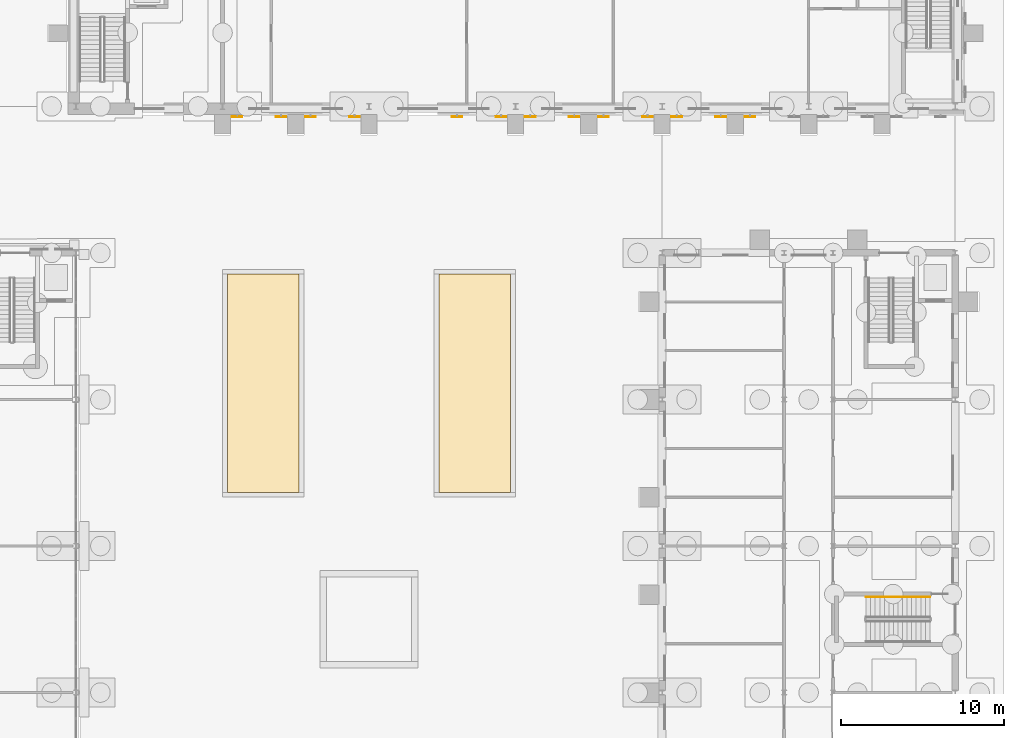
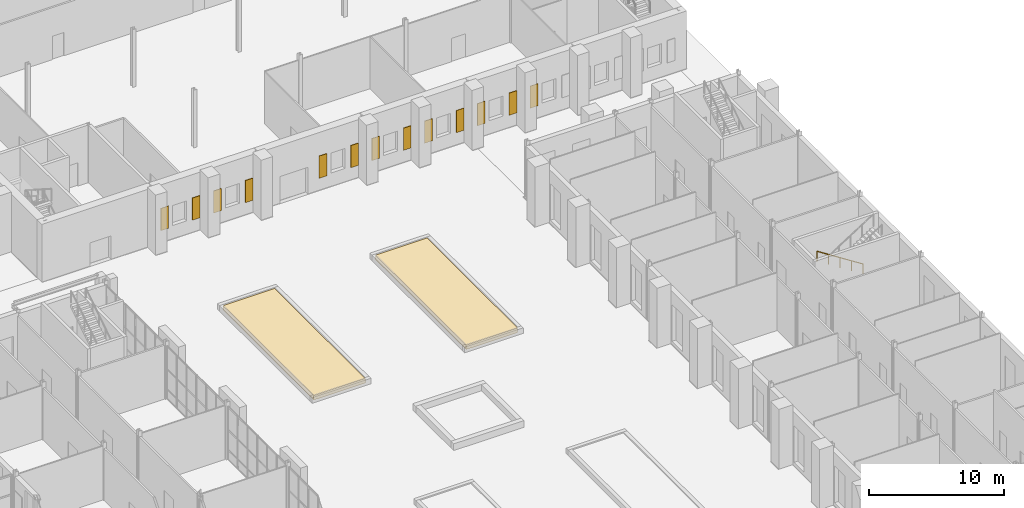
# One storey, part 155 of 168: 13 shading devices, 2 coverings, 1 railing.
"""IFC4 building model written with IfcOpenShell, lengths in metres."""

from ifc_helpers import new_model, si_unit, direction, frame, origin, origin_2d, place, context, subcontext, project, spatial, polyline, rectangle, circle, outline, extrude, material, layer, layer_set, type_object, element, save


model = new_model("IFC4")

# Units and contexts
model_context = context("Model", 3, precision=1e-05, world=origin(), true_north=direction((0.0, 1.0)))
body_context = subcontext(model_context, "Body", "Model", "MODEL_VIEW")
ifc_project = project(units=[si_unit("LENGTHUNIT", "METRE"), si_unit("AREAUNIT", "SQUARE_METRE"), si_unit("VOLUMEUNIT", "CUBIC_METRE"), si_unit("PLANEANGLEUNIT", "RADIAN"), si_unit("MASSUNIT", "GRAM", prefix="KILO")], contexts=[model_context])

# Site, building, storey
site_placement = place(None, origin())
site = spatial("IfcSite", under=ifc_project, at=site_placement, CompositionType="ELEMENT")
building_placement = place(site_placement, origin())
building = spatial("IfcBuilding", under=site, at=building_placement, Name="Golden Quay Civic Hall", CompositionType="ELEMENT")
storey_placement = place(building_placement, origin())
storey = spatial("IfcBuildingStorey", under=building, at=storey_placement, Name="L00", CompositionType="ELEMENT", Elevation=0.0)

# Coverings
ifc_material_1 = material(Name="Planting soil")
ifc_layer = layer(ifc_material_1, 0.39990234375)
ifc_layer_set = layer_set([ifc_layer], Name="Planting soil 400")
covering_type = type_object("IfcCoveringType", Name="Planting soil 400", PredefinedType="FLOORING", material=ifc_layer_set)
covering_1_placement = place(storey_placement, origin())
element("IfcCovering", 1, at=covering_1_placement, inside=storey, type_object=covering_type, Name="Court planting East Court 2", PredefinedType="FLOORING", context=body_context, shape_type="SweptSolid", body=[
    extrude(outline(polyline([(126.300048828125, 39.300048828125), (130.699951171875, 39.300048828125), (130.699951171875, 52.699951171875), (126.300048828125, 52.699951171875), (126.300048828125, 39.300048828125)])), origin(), (0.0, 0.0, 1.0), 0.39990234375),
])
covering_2_placement = place(storey_placement, origin())
element("IfcCovering", 2, at=covering_2_placement, inside=storey, type_object=covering_type, Name="Court planting East Court 4", PredefinedType="FLOORING", context=body_context, shape_type="SweptSolid", body=[
    extrude(outline(polyline([(139.300048828125, 39.300048828125), (143.699951171875, 39.300048828125), (143.699951171875, 52.699951171875), (139.300048828125, 52.699951171875), (139.300048828125, 39.300048828125)])), origin(), (0.0, 0.0, 1.0), 0.39990234375),
])

# Railing
ifc_material_2 = material(Name="Steel S355", Category="steel")
railing_type = type_object("IfcRailingType", Name="Steel handrail 900", PredefinedType="HANDRAIL", material=ifc_material_2)
railing_placement = place(storey_placement, frame((169.449951171875, 32.875, 0.179931640625)))
element("IfcRailing", 3, at=railing_placement, inside=storey, type_object=railing_type, Name="L00 EO-M stair handrail 1", PredefinedType="HANDRAIL", context=body_context, shape_type="SweptSolid", body=[
    extrude(circle(Radius=0.02392578125, at=origin_2d()), frame((0.0, 0.0, 0.8759765625), z_axis=(-0.841171666519, 0.0, 0.540768182723), x_axis=(0.0, -1.0, 0.0)), (0.0, 0.0, 1.0), 4.66015625),
    extrude(circle(Radius=0.02099609375, at=origin_2d()), origin(), (0.0, 0.0, 1.0), 0.851806640625),
    extrude(circle(Radius=0.02099609375, at=origin_2d()), frame((-0.97998046875, 0.0, 0.6298828125)), (0.0, 0.0, 1.0), 0.851806640625),
    extrude(circle(Radius=0.02099609375, at=origin_2d()), frame((-1.9599609375, 0.0, 1.260009765625)), (0.0, 0.0, 1.0), 0.851806640625),
    extrude(circle(Radius=0.02099609375, at=origin_2d()), frame((-2.93994140625, 0.0, 1.89013671875)), (0.0, 0.0, 1.0), 0.851806640625),
    extrude(circle(Radius=0.02099609375, at=origin_2d()), frame((-3.919921875, 0.0, 2.52001953125)), (0.0, 0.0, 1.0), 0.851806640625),
])

# Shading devices
ifc_material_3 = material(Name="Timber", Category="wood")
shading_device_type = type_object("IfcShadingDeviceType", Name="Timber storm shutter leaf 650 x 2000", PredefinedType="SHUTTER", material=ifc_material_3)
for number, where, z_axis, x_axis, name in (
    (4, (126.89990234375, 62.375, 1.199951171875), (0.0, 0.0, 1.0), (1.0, 0.0, 0.0), "Storm shutter L00-S112a"),
    (5, (129.60009765625, 62.375, 1.199951171875), (0.0, 0.0, 1.0), (1.0, 0.0, 0.0), "Storm shutter L00-S112b"),
    (6, (131.39990234375, 62.375, 1.199951171875), (0.0, 0.0, 1.0), (1.0, 0.0, 0.0), "Storm shutter L00-S157a"),
    (7, (134.10009765625, 62.375, 1.199951171875), (0.0, 0.0, 1.0), (1.0, 0.0, 0.0), "Storm shutter L00-S157b"),
    (8, (140.39990234375, 62.375, 1.199951171875), (0.0, 0.0, 1.0), (1.0, 0.0, 0.0), "Storm shutter L00-S247a"),
    (9, (143.10009765625, 62.375, 1.199951171875), (0.0, 0.0, 1.0), (1.0, 0.0, 0.0), "Storm shutter L00-S247b"),
    (10, (144.89990234375, 62.375, 1.199951171875), (0.0, 0.0, 1.0), (1.0, 0.0, 0.0), "Storm shutter L00-S292a"),
    (11, (147.60009765625, 62.375, 1.199951171875), (0.0, 0.0, 1.0), (1.0, 0.0, 0.0), "Storm shutter L00-S292b"),
    (12, (149.39990234375, 62.375, 1.199951171875), (0.0, 0.0, 1.0), (1.0, 0.0, 0.0), "Storm shutter L00-S337a"),
    (13, (152.10009765625, 62.375, 1.199951171875), (0.0, 0.0, 1.0), (1.0, 0.0, 0.0), "Storm shutter L00-S337b"),
    (14, (153.89990234375, 62.375, 1.199951171875), (0.0, 0.0, 1.0), (1.0, 0.0, 0.0), "Storm shutter L00-S382a"),
    (15, (156.60009765625, 62.375, 1.199951171875), (0.0, 0.0, 1.0), (1.0, 0.0, 0.0), "Storm shutter L00-S382b"),
    (16, (158.39990234375, 62.375, 1.199951171875), (0.0, 0.0, 1.0), (1.0, 0.0, 0.0), "Storm shutter L00-S427a"),
):
    element("IfcShadingDevice", number, at=place(storey_placement, frame(where, z_axis=z_axis, x_axis=x_axis)), inside=storey, type_object=shading_device_type, Name=name, PredefinedType="SHUTTER", context=body_context, shape_type="SweptSolid", body=[
        extrude(rectangle(XDim=0.64990234375, YDim=0.050048828125, at=origin_2d()), origin(), (0.0, 0.0, 1.0), 2.0),
    ])

save(model, "model.ifc")
